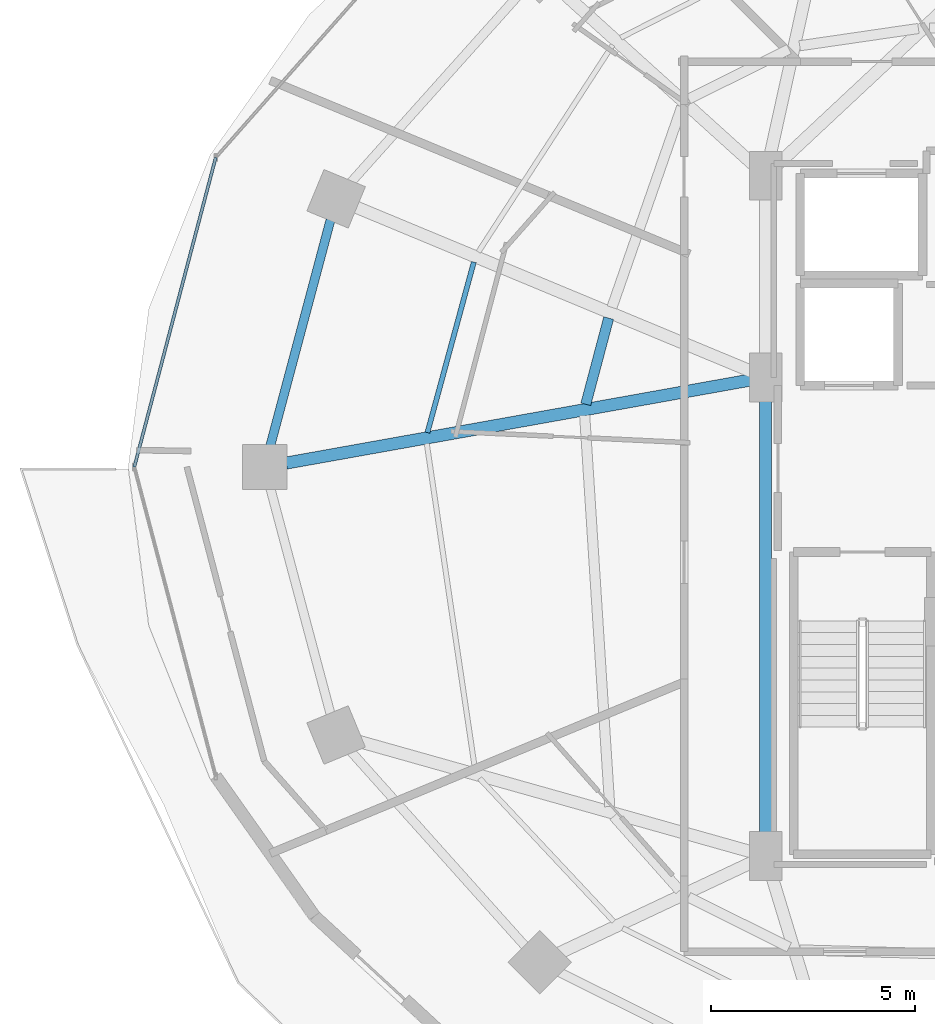
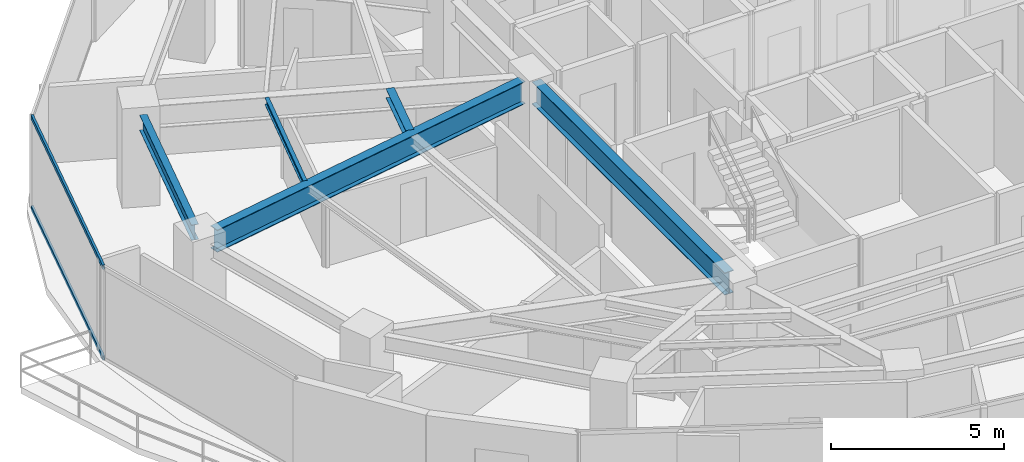
# One storey, part 8 of 30: 5 beams, 2 members, 1 element without a shape of its own.
"""IFC4 building model written with IfcOpenShell, lengths in metres."""

from ifc_helpers import new_model, si_unit, direction, frame, origin, origin_2d, place, context, subcontext, project, spatial, hollow_rectangle, i_section, extrude, material, material_profile, profile_set, type_object, element, aggregate, save


model = new_model("IFC4")

# Units and contexts
model_context = context("Model", 3, precision=1e-05, world=origin(), true_north=direction((0.0, 1.0)))
body_context = subcontext(model_context, "Body", "Model", "MODEL_VIEW")
ifc_project = project(units=[si_unit("LENGTHUNIT", "METRE"), si_unit("AREAUNIT", "SQUARE_METRE"), si_unit("VOLUMEUNIT", "CUBIC_METRE"), si_unit("PLANEANGLEUNIT", "RADIAN"), si_unit("MASSUNIT", "GRAM", prefix="KILO")], contexts=[model_context])

# Site, building, storey
site_placement = place(None, origin())
site = spatial("IfcSite", under=ifc_project, at=site_placement, CompositionType="ELEMENT")
building_placement = place(site_placement, origin())
building = spatial("IfcBuilding", under=site, at=building_placement, Name="Vorneva Point Tower", CompositionType="ELEMENT")
storey_placement = place(building_placement, frame((0.0, 0.0, 106.800048828125)))
storey = spatial("IfcBuildingStorey", under=building, at=storey_placement, Name="L28", CompositionType="ELEMENT", Elevation=106.800048828125)

# Beams
ifc_material_1 = material(Name="Steel S355", Category="steel")
ifc_material_profile_1 = material_profile(ifc_material_1, i_section(OverallWidth=0.300048828125, OverallDepth=0.7880859375, WebThickness=0.014404296875, FlangeThickness=0.02197265625, at=origin_2d()), Name="80Sh1")
ifc_profile_set_1 = profile_set([ifc_material_profile_1], Name="Steel S355")
beam_type_1 = type_object("IfcBeamType", Name="BM-GRD-80Sh1", PredefinedType="USERDEFINED", material=ifc_profile_set_1)
beam_1_placement = place(storey_placement, frame((15.4794921875, 26.0947265625, 2.845947265625), z_axis=(0.984378310682, 0.176066298476, 0.0), x_axis=(-0.176066298476, 0.984378310682, 0.0)))
element("IfcBeam", 1, at=beam_1_placement, inside=storey, type_object=beam_type_1, Name="L28 Radial Primary Girder 09", ObjectType="GIRDER", PredefinedType="USERDEFINED", context=body_context, shape_type="SweptSolid", body=[
    extrude(i_section(OverallWidth=0.300048828125, OverallDepth=0.7880859375, WebThickness=0.014404296875, FlangeThickness=0.02197265625, at=origin_2d()), origin(), (0.0, 0.0, 1.0), 11.6171875),
])
beam_2_placement = place(storey_placement, frame((27.25, 16.77001953125, 2.845947265625), z_axis=(0.0, 1.0, 0.0), x_axis=(-1.0, 0.0, 0.0)))
element("IfcBeam", 2, at=beam_2_placement, inside=storey, type_object=beam_type_1, Name="L28 Core Tie Girder CT1", ObjectType="GIRDER", PredefinedType="USERDEFINED", context=body_context, shape_type="SweptSolid", body=[
    extrude(i_section(OverallWidth=0.300048828125, OverallDepth=0.7880859375, WebThickness=0.014404296875, FlangeThickness=0.02197265625, at=origin_2d()), origin(), (0.0, 0.0, 1.0), 11.10986328125),
])
ifc_material_profile_2 = material_profile(ifc_material_1, i_section(OverallWidth=0.1240234375, OverallDepth=0.248046875, WebThickness=0.0048828125, FlangeThickness=0.008056640625, at=origin_2d()), Name="25B1")
ifc_profile_set_2 = profile_set([ifc_material_profile_2], Name="Steel S355")
beam_type_2 = type_object("IfcBeamType", Name="BM-JST-25B1", PredefinedType="JOIST", material=ifc_profile_set_2)
beam_3_placement = place(storey_placement, frame((20.085693359375, 31.029052734375, 3.115966796875), z_axis=(-0.262498516755, -0.964932395923, 0.0), x_axis=(0.964932395923, -0.262498516755, 0.0)))
element("IfcBeam", 3, at=beam_3_placement, inside=storey, type_object=beam_type_2, Name="L28 Secondary Floor Beam 1.08", PredefinedType="JOIST", context=body_context, shape_type="SweptSolid", body=[
    extrude(i_section(OverallWidth=0.1240234375, OverallDepth=0.248046875, WebThickness=0.0048828125, FlangeThickness=0.008056640625, at=origin_2d()), origin(), (0.0, 0.0, 1.0), 4.339599609375),
])
ifc_material_profile_3 = material_profile(ifc_material_1, i_section(OverallWidth=0.2490234375, OverallDepth=0.333984375, WebThickness=0.008056640625, FlangeThickness=0.010986328125, at=origin_2d()), Name="35Sh1")
ifc_profile_set_3 = profile_set([ifc_material_profile_3], Name="Steel S355")
beam_type_3 = type_object("IfcBeamType", Name="BM-SEC-35Sh1", PredefinedType="BEAM", material=ifc_profile_set_3)
beam_4_placement = place(storey_placement, frame((23.39599609375, 29.6533203125, 3.072998046875), z_axis=(-0.256677044588, -0.966497229578, 0.0), x_axis=(0.966497229578, -0.256677044588, 0.0)))
element("IfcBeam", 4, at=beam_4_placement, inside=storey, type_object=beam_type_3, Name="L28 Secondary Floor Beam 2.08", PredefinedType="BEAM", context=body_context, shape_type="SweptSolid", body=[
    extrude(i_section(OverallWidth=0.2490234375, OverallDepth=0.333984375, WebThickness=0.008056640625, FlangeThickness=0.010986328125, at=origin_2d()), origin(), (0.0, 0.0, 1.0), 2.189453125),
])
ifc_material_profile_4 = material_profile(ifc_material_1, i_section(OverallWidth=0.219970703125, OverallDepth=0.54296875, WebThickness=0.009521484375, FlangeThickness=0.013427734375, at=origin_2d()), Name="55B1")
ifc_profile_set_4 = profile_set([ifc_material_profile_4], Name="Steel S355")
beam_type_4 = type_object("IfcBeamType", Name="BM-SPN-55B1", PredefinedType="SPANDREL", material=ifc_profile_set_4)
beam_5_placement = place(storey_placement, frame((16.56689453125, 32.065185546875, 2.968505859375), z_axis=(-0.257572674071, -0.966258928845, 0.0), x_axis=(0.966258928845, -0.257572674071, 0.0)))
element("IfcBeam", 5, at=beam_5_placement, inside=storey, type_object=beam_type_4, Name="L28 Perimeter Spandrel Ring Beam 08", PredefinedType="SPANDREL", context=body_context, shape_type="SweptSolid", body=[
    extrude(i_section(OverallWidth=0.219970703125, OverallDepth=0.54296875, WebThickness=0.009521484375, FlangeThickness=0.013427734375, at=origin_2d()), origin(), (0.0, 0.0, 1.0), 5.7421875),
])

# Curtain wall, members
ifc_material_2 = material(Name="Pale anodised aluminium", Category="aluminium")
curtain_wall_type = type_object("IfcCurtainWallType", Name="CW-HTL-SYS", PredefinedType="NOTDEFINED", material=ifc_material_2)
curtain_wall_placement = place(storey_placement, origin())
curtain_wall = element("IfcCurtainWall", 6, at=curtain_wall_placement, inside=storey, type_object=curtain_wall_type, Name="L28 Unitised Curtain Wall CW-L28-R03", PredefinedType="NOTDEFINED")
ifc_material_profile_5 = material_profile(ifc_material_2, hollow_rectangle(XDim=0.074951171875, YDim=0.14990234375, WallThickness=0.00390625, at=origin_2d()), Name="AL-TRN 150x75x4")
ifc_profile_set_5 = profile_set([ifc_material_profile_5], Name="Pale anodised aluminium")
member_type = type_object("IfcMemberType", Name="CW-TRN-150", PredefinedType="USERDEFINED", material=ifc_profile_set_5)
member_1_placement = place(storey_placement, frame((13.748291015625, 33.59619140625, 0.02001953125), z_axis=(-0.254409150465, -0.967096677773, 0.0), x_axis=(0.967096677773, -0.254409150465, 0.0)))
member_1 = element("IfcMember", 7, at=member_1_placement, type_object=member_type, Name="CW-L28-R03 Transom 02.1", ObjectType="TRANSOM", PredefinedType="USERDEFINED", context=body_context, shape_type="SweptSolid", body=[
    extrude(hollow_rectangle(XDim=0.074951171875, YDim=0.14990234375, WallThickness=0.00390625, at=origin_2d()), origin(), (0.0, 0.0, 1.0), 7.854736328125),
])
member_2_placement = place(storey_placement, frame((13.748291015625, 33.59619140625, 3.219970703125), z_axis=(-0.254409150465, -0.967096677773, 0.0), x_axis=(0.967096677773, -0.254409150465, 0.0)))
member_2 = element("IfcMember", 8, at=member_2_placement, type_object=member_type, Name="CW-L28-R03 Transom 02.2", ObjectType="TRANSOM", PredefinedType="USERDEFINED", context=body_context, shape_type="SweptSolid", body=[
    extrude(hollow_rectangle(XDim=0.074951171875, YDim=0.14990234375, WallThickness=0.00390625, at=origin_2d()), origin(), (0.0, 0.0, 1.0), 7.854736328125),
])
aggregate(curtain_wall, [member_1, member_2])

save(model, "model.ifc")
